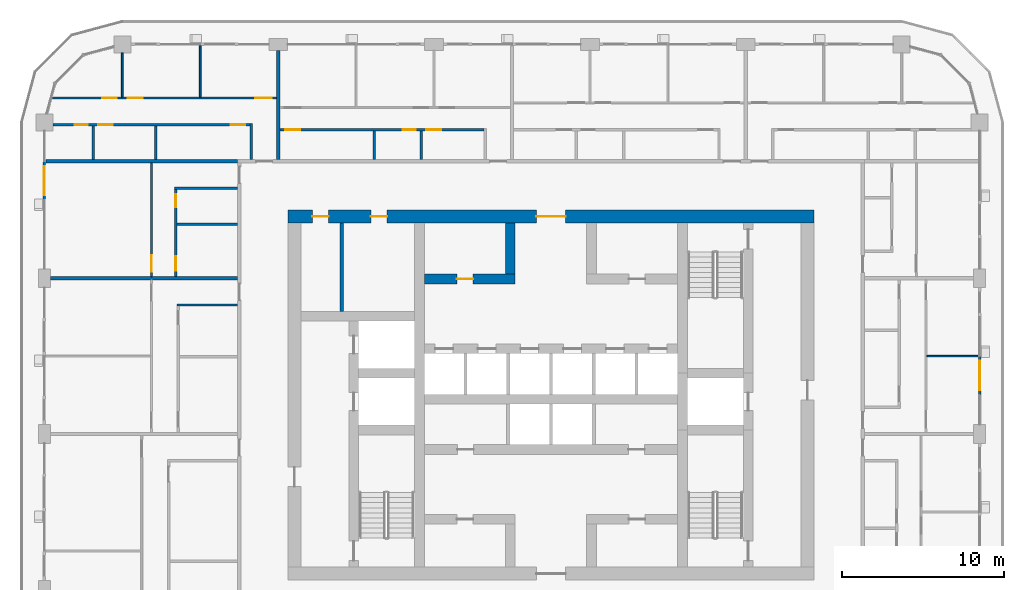
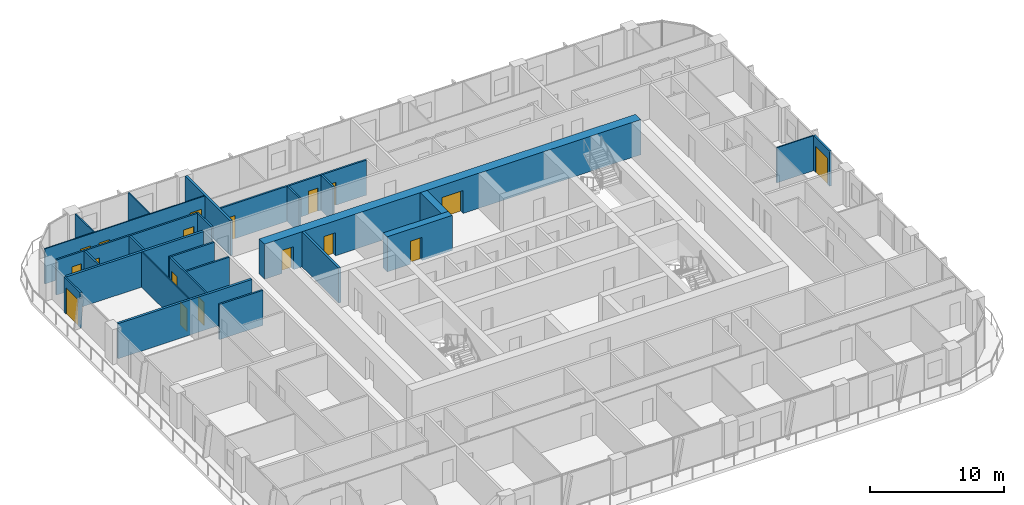
# One storey, part 13 of 22: 25 walls, 18 doors, 18 openings.
"""IFC4 building model written with IfcOpenShell, lengths in metres."""

import ifcopenshell
import ifcopenshell.guid

model = None  # the IFC model being written
_history = None  # IfcOwnerHistory: only IFC2X3 demands one
_inside = {}  # id of a spatial element -> (the spatial element, [elements in it])
_under = {}  # id of a project, library or spatial element -> (it, [spatial elements below it])
_declared = {}  # id of a project -> (the project, [libraries it declares])
_typed = {}  # id of a type object -> (the type object, [elements of that type])
_made_of = {}  # id of a material, layer set ... -> (it, [elements and type objects made of it])


def new_model(schema):
    """Start an empty IFC model of exactly this schema.

    Asked for "IFC4X3", IfcOpenShell would pick the latest addendum, in which some entities
    have other attributes; the version numbers below select the first issue.
    IFC2X3 requires an IfcOwnerHistory on every rooted entity: one is made here for all.
    """
    global model, _history
    if schema == "IFC4X3":
        model = ifcopenshell.file(schema_version=(4, 3, 0, 0))
    else:
        model = ifcopenshell.file(schema=schema)
    _inside.clear()
    _under.clear()
    _declared.clear()
    _typed.clear()
    _made_of.clear()
    _history = None
    if model.schema == "IFC2X3":
        org = make("IfcOrganization", Name="unknown")
        user = make(
            "IfcPersonAndOrganization",
            ThePerson=make("IfcPerson", FamilyName="unknown"),
            TheOrganization=org,
        )
        app = make(
            "IfcApplication",
            ApplicationDeveloper=org,
            Version="unknown",
            ApplicationFullName="unknown",
            ApplicationIdentifier="unknown",
        )
        _history = make(
            "IfcOwnerHistory",
            OwningUser=user,
            OwningApplication=app,
            ChangeAction="ADDED",
            CreationDate=0,
        )
    return model


def make(cls, **values):
    """One entity of the class cls with the attributes given. An attribute that is None is left unset."""
    return model.create_entity(
        cls, **{name: value for name, value in values.items() if value is not None}
    )


def rooted(cls, **values):
    """An entity with a GlobalId (a new one), such as an element, a storey or a relation."""
    return make(cls, GlobalId=ifcopenshell.guid.new(), OwnerHistory=_history, **values)


def si_unit(unit_type, name, prefix=None):
    """IfcSIUnit, for example si_unit("LENGTHUNIT", "METRE", prefix="MILLI")."""
    return make("IfcSIUnit", UnitType=unit_type, Prefix=prefix, Name=name)


def assignment(units):
    """IfcUnitAssignment: the units of a project."""
    return None if units is None else make("IfcUnitAssignment", Units=units)


def point(xyz):
    """IfcCartesianPoint."""
    return None if xyz is None else make("IfcCartesianPoint", Coordinates=xyz)


def direction(xyz):
    """IfcDirection."""
    return None if xyz is None else make("IfcDirection", DirectionRatios=xyz)


def frame(location, z_axis=None, x_axis=None):
    """IfcAxis2Placement3D, a coordinate frame: its origin and axes. An axis left out is left unset."""
    return make(
        "IfcAxis2Placement3D",
        Location=point(location),
        Axis=direction(z_axis),
        RefDirection=direction(x_axis),
    )


def frame_2d(location, x_axis=None):
    """IfcAxis2Placement2D, a coordinate frame in the plane: its origin and x axis."""
    return make(
        "IfcAxis2Placement2D", Location=point(location), RefDirection=direction(x_axis)
    )


def origin():
    """The frame at (0, 0, 0) with its axes left unset."""
    return frame((0.0, 0.0, 0.0))


def place(relative_to, where):
    """IfcLocalPlacement: puts the frame where relative to a parent placement (None: the world)."""
    return make(
        "IfcLocalPlacement", PlacementRelTo=relative_to, RelativePlacement=where
    )


def context(
    kind, dimensions, precision=None, world=None, true_north=None, identifier=None
):
    """IfcGeometricRepresentationContext, for example the 3D "Model" context."""
    return make(
        "IfcGeometricRepresentationContext",
        ContextIdentifier=identifier,
        ContextType=kind,
        CoordinateSpaceDimension=dimensions,
        Precision=precision,
        WorldCoordinateSystem=world,
        TrueNorth=true_north,
    )


def subcontext(parent, identifier, kind, view, scale=None):
    """IfcGeometricRepresentationSubContext, for example "Body" below "Model"."""
    return make(
        "IfcGeometricRepresentationSubContext",
        ContextIdentifier=identifier,
        ContextType=kind,
        ParentContext=parent,
        TargetScale=scale,
        TargetView=view,
    )


def project(units=None, contexts=None):
    """IfcProject with its units and contexts."""
    return rooted(
        "IfcProject",
        Name="project",
        RepresentationContexts=contexts,
        UnitsInContext=assignment(units),
    )


def spatial(cls, under=None, at=None, **own):
    """A site, building, storey or space (cls), placed at a placement, below another one or the project."""
    s = rooted(cls, ObjectPlacement=at, **own)
    if under is not None:
        _under.setdefault(under.id(), (under, []))[1].append(s)
    return s


def profile(cls, at=None, kind="AREA", **sizes):
    """A parametric profile (cls). Its sizes go by their IFC names, for example OverallWidth=200.0."""
    return make(cls, ProfileType=kind, Position=at, **sizes)


def rectangle(**sizes):
    """IfcRectangleProfileDef."""
    return profile("IfcRectangleProfileDef", **sizes)


def extrude(swept, where, along, depth):
    """IfcExtrudedAreaSolid: the profile swept, set in the frame where, extruded along a direction by depth."""
    return make(
        "IfcExtrudedAreaSolid",
        SweptArea=swept,
        Position=where,
        ExtrudedDirection=direction(along),
        Depth=depth,
    )


def shape(context_of_items, identifier, shape_type, items):
    """IfcShapeRepresentation: the items that make up one representation, for example the "Body"."""
    return make(
        "IfcShapeRepresentation",
        ContextOfItems=context_of_items,
        RepresentationIdentifier=identifier,
        RepresentationType=shape_type,
        Items=items,
    )


def material(Name=None, Category=None):
    """IfcMaterial."""
    return make("IfcMaterial", Name=Name, Category=Category)


def layer(
    of_material, thickness, ventilated=None, Name=None, Category=None, Priority=None
):
    """IfcMaterialLayer: one layer of a wall or slab, of a material (None: an air gap)."""
    return make(
        "IfcMaterialLayer",
        Material=of_material,
        LayerThickness=thickness,
        IsVentilated=ventilated,
        Name=Name,
        Category=Category,
        Priority=Priority,
    )


def layer_set(layers, Name=None):
    """IfcMaterialLayerSet."""
    return make("IfcMaterialLayerSet", MaterialLayers=layers, LayerSetName=Name)


def made_of(thing, what):
    """Note that an element or type object is made of a material, layer set ...; save() writes the relation."""
    if what is not None:
        _made_of.setdefault(what.id(), (what, []))[1].append(thing)
    return thing


def type_object(cls, material=None, **own):
    """A type object (cls), such as IfcWallType, which elements share."""
    return made_of(rooted(cls, **own), material)


def element(
    cls,
    number,
    at=None,
    inside=None,
    cuts=None,
    type_object=None,
    material=None,
    context=None,
    identifier="Body",
    shape_type=None,
    held_by="IfcProductDefinitionShape",
    body=None,
    shapes=None,
    **own,
):
    """One element of the class cls, such as IfcWall. Its Tag is "e" and its number.

    at: its placement. inside: the storey or other place that contains it. cuts: it is an
    opening in that element (IfcRelVoidsElement). A single representation is given by context,
    identifier, shape_type and body (its items); several are given by shapes. held_by: the class
    of the entity that holds the representations. save() writes the other relations.
    """
    e = rooted(cls, Tag="e%d" % number, ObjectPlacement=at, **own)
    if body is not None:
        shapes = [shape(context, identifier, shape_type, body)]
    if shapes is not None:
        e.Representation = make(held_by, Representations=shapes)
    if inside is not None:
        _inside.setdefault(inside.id(), (inside, []))[1].append(e)
    if cuts is not None:
        rooted(
            "IfcRelVoidsElement", RelatingBuildingElement=cuts, RelatedOpeningElement=e
        )
    if type_object is not None:
        _typed.setdefault(type_object.id(), (type_object, []))[1].append(e)
    return made_of(e, material)


def fill(opening, filler):
    """IfcRelFillsElement: the door or window that sits in an opening."""
    return rooted(
        "IfcRelFillsElement",
        RelatingOpeningElement=opening,
        RelatedBuildingElement=filler,
    )


def aggregate(whole, parts):
    """IfcRelAggregates: a whole, such as a stair, and the parts it consists of."""
    return rooted("IfcRelAggregates", RelatingObject=whole, RelatedObjects=parts)


def save(model, path):
    """Write the relations noted so far, then the file.

    IfcRelAggregates (storeys below a building ...), IfcRelContainedInSpatialStructure (elements
    in a storey), IfcRelDefinesByType, IfcRelAssociatesMaterial and IfcRelDeclares: one each for
    every whole, place, type object, material and project.
    """
    for whole, parts in _under.values():
        aggregate(whole, parts)
    for where, things in _inside.values():
        rooted(
            "IfcRelContainedInSpatialStructure",
            RelatedElements=things,
            RelatingStructure=where,
        )
    for kind, things in _typed.values():
        rooted("IfcRelDefinesByType", RelatedObjects=things, RelatingType=kind)
    for what, things in _made_of.values():
        rooted("IfcRelAssociatesMaterial", RelatedObjects=things, RelatingMaterial=what)
    for by, libraries in _declared.values():
        rooted("IfcRelDeclares", RelatingContext=by, RelatedDefinitions=libraries)
    model.write(path)


model = new_model("IFC4")

# Units and contexts
model_context = context("Model", 3, precision=1e-05, world=origin(), true_north=direction((0.0, 1.0)))
body_context = subcontext(model_context, "Body", "Model", "MODEL_VIEW")
ifc_project = project(units=[si_unit("LENGTHUNIT", "METRE"), si_unit("AREAUNIT", "SQUARE_METRE"), si_unit("VOLUMEUNIT", "CUBIC_METRE"), si_unit("PLANEANGLEUNIT", "RADIAN"), si_unit("MASSUNIT", "GRAM", prefix="KILO")], contexts=[model_context])

# Site, building, storey
site_placement = place(None, origin())
site = spatial("IfcSite", under=ifc_project, at=site_placement, CompositionType="ELEMENT")
building_placement = place(site_placement, origin())
building = spatial("IfcBuilding", under=site, at=building_placement, Name="Madar Terraces", CompositionType="ELEMENT")
storey_placement = place(building_placement, frame((0.0, 0.0, 152.5)))
storey = spatial("IfcBuildingStorey", under=building, at=storey_placement, Name="L39", CompositionType="ELEMENT", Elevation=152.5)

# Wall, opening, door
ifc_material_1 = material(Name="Concrete C70/85", Category="concrete")
ifc_layer_1 = layer(ifc_material_1, 0.60009765625)
ifc_layer_set_1 = layer_set([ifc_layer_1], Name="Concrete C70/85 (CIW3 RC wall 600)")
wall_type_1 = type_object("IfcWallType", Name="CIW3 RC wall 600", PredefinedType="SHEAR", material=ifc_layer_set_1)
wall_1_placement = place(storey_placement, frame((23.39990234375, 33.550048828125, 0.0), z_axis=(0.0, 0.0, 1.0), x_axis=(1.0, 0.0, 0.0)))
wall_1 = element("IfcWall", 1, at=wall_1_placement, inside=storey, type_object=wall_type_1, Name="CORE SHAFT WALL", PredefinedType="SHEAR", context=body_context, shape_type="SweptSolid", body=[
    extrude(rectangle(XDim=5.60009765625, YDim=0.60009765625, at=frame_2d((2.800048828125, 0.0))), origin(), (0.0, 0.0, 1.0), 3.199951171875),
])
opening_1_placement = place(wall_1_placement, frame((2.0, 0.0, 0.0)))
opening_1 = element("IfcOpeningElement", 2, at=opening_1_placement, cuts=wall_1, Name="Opening KD2", PredefinedType="OPENING", context=body_context, shape_type="SweptSolid", body=[
    extrude(rectangle(XDim=1.0, YDim=2.10009765625, at=frame_2d((0.5, 1.050048828125))), frame((0.0, 0.31005859375, 0.0), z_axis=(0.0, -1.0, 0.0), x_axis=(1.0, 0.0, 0.0)), (0.0, 0.0, 1.0), 0.6201171875),
])
ifc_material_2 = material(Name="Steel door leaf", Category="steel")
door_type_1 = type_object("IfcDoorType", Name="Service room door 1000 x 2100", OperationType="NOTDEFINED", PredefinedType="DOOR", material=ifc_material_2)
door_1_placement = place(opening_1_placement, frame((1.0, 0.0, 0.0), z_axis=(0.0, 0.0, 1.0), x_axis=(-1.0, 0.0, 0.0)))
door_1 = element("IfcDoor", 3, at=door_1_placement, inside=storey, type_object=door_type_1, Name="SERVICE ROOM DOOR", OperationType="SINGLE_SWING_RIGHT", OverallHeight=2.10009765625, OverallWidth=1.0, PredefinedType="DOOR", context=body_context, shape_type="SweptSolid", body=[
    extrude(rectangle(XDim=1.0, YDim=2.10009765625, at=frame_2d((0.5, 1.050048828125))), frame((0.0, 0.02490234375, 0.0), z_axis=(0.0, -1.0, 0.0), x_axis=(1.0, 0.0, 0.0)), (0.0, 0.0, 1.0), 0.050048828125),
])
fill(opening_1, door_1)

# Wall
wall_2_placement = place(storey_placement, frame((28.699951171875, 33.85009765625, 0.0), z_axis=(0.0, 0.0, 1.0), x_axis=(0.0, 1.0, 0.0)))
element("IfcWall", 4, at=wall_2_placement, inside=storey, type_object=wall_type_1, Name="CORE SHAFT WALL", PredefinedType="SHEAR", context=body_context, shape_type="SweptSolid", body=[
    extrude(rectangle(XDim=3.14990234375, YDim=0.60009765625, at=frame_2d((1.574951171875, 0.0))), origin(), (0.0, 0.0, 1.0), 3.199951171875),
])

# Wall, openings, doors
ifc_material_3 = material(Name="Concrete C70/85", Category="concrete")
ifc_layer_2 = layer(ifc_material_3, 0.800048828125)
ifc_layer_set_2 = layer_set([ifc_layer_2], Name="Concrete C70/85 (CRW3 RC wall 800)")
wall_type_2 = type_object("IfcWallType", Name="CRW3 RC wall 800", PredefinedType="SHEAR", material=ifc_layer_set_2)
wall_3_placement = place(storey_placement, frame((15.0, 37.39990234375, 0.0), z_axis=(0.0, 0.0, 1.0), x_axis=(1.0, 0.0, 0.0)))
wall_3 = element("IfcWall", 5, at=wall_3_placement, inside=storey, type_object=wall_type_2, Name="CORE OUTER WALL", PredefinedType="SHEAR", context=body_context, shape_type="SweptSolid", body=[
    extrude(rectangle(XDim=32.39990234375, YDim=0.800048828125, at=frame_2d((16.199951171875, 0.0))), origin(), (0.0, 0.0, 1.0), 3.199951171875),
])
opening_2_placement = place(wall_3_placement, frame((15.300048828125, 0.0, 0.0)))
opening_2 = element("IfcOpeningElement", 6, at=opening_2_placement, cuts=wall_3, Name="Opening KD1", PredefinedType="OPENING", context=body_context, shape_type="SweptSolid", body=[
    extrude(rectangle(XDim=1.800048828125, YDim=2.10009765625, at=frame_2d((0.89990234375, 1.050048828125))), frame((0.0, 0.409912109375, 0.0), z_axis=(0.0, -1.0, 0.0), x_axis=(1.0, 0.0, 0.0)), (0.0, 0.0, 1.0), 0.820068359375),
])
opening_3_placement = place(wall_3_placement, frame((1.510009765625, 0.0, 0.0)))
opening_3 = element("IfcOpeningElement", 7, at=opening_3_placement, cuts=wall_3, Name="Opening KD2", PredefinedType="OPENING", context=body_context, shape_type="SweptSolid", body=[
    extrude(rectangle(XDim=1.0, YDim=2.10009765625, at=frame_2d((0.5, 1.050048828125))), frame((0.0, 0.409912109375, 0.0), z_axis=(0.0, -1.0, 0.0), x_axis=(1.0, 0.0, 0.0)), (0.0, 0.0, 1.0), 0.820068359375),
])
opening_4_placement = place(wall_3_placement, frame((5.110107421875, 0.0, 0.0)))
opening_4 = element("IfcOpeningElement", 8, at=opening_4_placement, cuts=wall_3, Name="Opening KD2", PredefinedType="OPENING", context=body_context, shape_type="SweptSolid", body=[
    extrude(rectangle(XDim=1.0, YDim=2.10009765625, at=frame_2d((0.5, 1.050048828125))), frame((0.0, 0.409912109375, 0.0), z_axis=(0.0, -1.0, 0.0), x_axis=(1.0, 0.0, 0.0)), (0.0, 0.0, 1.0), 0.820068359375),
])
ifc_material_4 = material(Name="Steel door leaf", Category="steel")
door_type_2 = type_object("IfcDoorType", Name="Lobby door pair 1800 x 2100", OperationType="DOUBLE_DOOR_SINGLE_SWING", PredefinedType="DOOR", material=ifc_material_4)
door_2_placement = place(opening_2_placement, origin())
door_2 = element("IfcDoor", 9, at=door_2_placement, inside=storey, type_object=door_type_2, Name="LIFT LOBBY DOOR", OperationType="DOUBLE_DOOR_SINGLE_SWING", OverallHeight=2.10009765625, OverallWidth=1.800048828125, PredefinedType="DOOR", context=body_context, shape_type="SweptSolid", body=[
    extrude(rectangle(XDim=1.800048828125, YDim=2.10009765625, at=frame_2d((0.89990234375, 1.050048828125))), frame((0.0, 0.02490234375, 0.0), z_axis=(0.0, -1.0, 0.0), x_axis=(1.0, 0.0, 0.0)), (0.0, 0.0, 1.0), 0.050048828125),
])
fill(opening_2, door_2)
door_3_placement = place(opening_3_placement, origin())
door_3 = element("IfcDoor", 10, at=door_3_placement, inside=storey, type_object=door_type_1, Name="SERVICE ROOM DOOR", OperationType="SINGLE_SWING_RIGHT", OverallHeight=2.10009765625, OverallWidth=1.0, PredefinedType="DOOR", context=body_context, shape_type="SweptSolid", body=[
    extrude(rectangle(XDim=1.0, YDim=2.10009765625, at=frame_2d((0.5, 1.050048828125))), frame((0.0, 0.02490234375, 0.0), z_axis=(0.0, -1.0, 0.0), x_axis=(1.0, 0.0, 0.0)), (0.0, 0.0, 1.0), 0.050048828125),
])
fill(opening_3, door_3)
door_4_placement = place(opening_4_placement, origin())
door_4 = element("IfcDoor", 11, at=door_4_placement, inside=storey, type_object=door_type_1, Name="SERVICE ROOM DOOR", OperationType="SINGLE_SWING_LEFT", OverallHeight=2.10009765625, OverallWidth=1.0, PredefinedType="DOOR", context=body_context, shape_type="SweptSolid", body=[
    extrude(rectangle(XDim=1.0, YDim=2.10009765625, at=frame_2d((0.5, 1.050048828125))), frame((0.0, 0.02490234375, 0.0), z_axis=(0.0, -1.0, 0.0), x_axis=(1.0, 0.0, 0.0)), (0.0, 0.0, 1.0), 0.050048828125),
])
fill(opening_4, door_4)

# Wall
ifc_material_5 = material(Name="Masonry blockwork", Category="masonry")
ifc_layer_3 = layer(ifc_material_5, 0.199951171875)
ifc_layer_set_3 = layer_set([ifc_layer_3], Name="Core partition 200 blockwork")
wall_type_3 = type_object("IfcWallType", Name="Core partition 200 blockwork", PredefinedType="PARTITIONING", material=ifc_layer_set_3)
wall_4_placement = place(storey_placement, frame((18.320068359375, 31.550048828125, 0.0), z_axis=(0.0, 0.0, 1.0), x_axis=(0.0, 1.0, 0.0)))
element("IfcWall", 12, at=wall_4_placement, inside=storey, type_object=wall_type_3, Name="SERVICE ROOM PARTITION", PredefinedType="PARTITIONING", context=body_context, shape_type="SweptSolid", body=[
    extrude(rectangle(XDim=5.449951171875, YDim=0.199951171875, at=frame_2d((2.72509765625, 0.0))), origin(), (0.0, 0.0, 1.0), 3.199951171875),
])

# Wall, opening, door
ifc_material_6 = material(Name="Aluminium composite panel, black, over insulated backing", Category="aluminium")
ifc_layer_4 = layer(ifc_material_6, 0.14990234375)
ifc_layer_set_4 = layer_set([ifc_layer_4], Name="Facade bay panel 150")
wall_type_4 = type_object("IfcWallType", Name="Facade bay panel 150", PredefinedType="SOLIDWALL", material=ifc_layer_set_4)
wall_5_placement = place(storey_placement, frame((57.60009765625, 26.39990234375, 0.0), z_axis=(0.0, 0.0, 1.0), x_axis=(0.0, 1.0, 0.0)))
wall_5 = element("IfcWall", 13, at=wall_5_placement, inside=storey, type_object=wall_type_4, Name="Facade bay panel", PredefinedType="SOLIDWALL", context=body_context, shape_type="SweptSolid", body=[
    extrude(rectangle(XDim=2.400146484375, YDim=0.14990234375, at=frame_2d((1.2001953125, 0.0))), origin(), (0.0, 0.0, 1.0), 3.199951171875),
])
opening_5_placement = place(wall_5_placement, frame((0.300048828125, 0.0, 0.0)))
opening_5 = element("IfcOpeningElement", 14, at=opening_5_placement, cuts=wall_5, Name="Opening ED1", PredefinedType="OPENING", context=body_context, shape_type="SweptSolid", body=[
    extrude(rectangle(XDim=1.800048828125, YDim=2.39990234375, at=frame_2d((0.89990234375, 1.199951171875))), frame((0.0, 0.0849609375, 0.0), z_axis=(0.0, -1.0, 0.0), x_axis=(1.0, 0.0, 0.0)), (0.0, 0.0, 1.0), 0.169921875),
])
ifc_material_7 = material(Name="Glass, clear, with black aluminium frame", Category="aluminium")
door_type_3 = type_object("IfcDoorType", Name="Balcony and terrace sliding door 1800 x 2400", OperationType="SLIDING_TO_LEFT", PredefinedType="DOOR", material=ifc_material_7)
door_5_placement = place(opening_5_placement, origin())
door_5 = element("IfcDoor", 15, at=door_5_placement, inside=storey, type_object=door_type_3, Name="Balcony door", OperationType="SLIDING_TO_RIGHT", OverallHeight=2.39990234375, OverallWidth=1.800048828125, PredefinedType="DOOR", context=body_context, shape_type="SweptSolid", body=[
    extrude(rectangle(XDim=1.800048828125, YDim=2.39990234375, at=frame_2d((0.89990234375, 1.199951171875))), frame((0.0, 0.02490234375, 0.0), z_axis=(0.0, -1.0, 0.0), x_axis=(1.0, 0.0, 0.0)), (0.0, 0.0, 1.0), 0.050048828125),
])
fill(opening_5, door_5)

wall_6_placement = place(storey_placement, frame((0.0, 40.800048828125, 0.0), z_axis=(0.0, 0.0, 1.0), x_axis=(0.0, -1.0, 0.0)))
wall_6 = element("IfcWall", 16, at=wall_6_placement, inside=storey, type_object=wall_type_4, Name="Facade bay panel", PredefinedType="SOLIDWALL", context=body_context, shape_type="SweptSolid", body=[
    extrude(rectangle(XDim=2.400146484375, YDim=0.14990234375, at=frame_2d((1.2001953125, 0.0))), origin(), (0.0, 0.0, 1.0), 3.199951171875),
])
opening_6_placement = place(wall_6_placement, frame((0.300048828125, 0.0, 0.0)))
opening_6 = element("IfcOpeningElement", 17, at=opening_6_placement, cuts=wall_6, Name="Opening ED1", PredefinedType="OPENING", context=body_context, shape_type="SweptSolid", body=[
    extrude(rectangle(XDim=1.800048828125, YDim=2.39990234375, at=frame_2d((0.89990234375, 1.199951171875))), frame((0.0, 0.0849609375, 0.0), z_axis=(0.0, -1.0, 0.0), x_axis=(1.0, 0.0, 0.0)), (0.0, 0.0, 1.0), 0.169921875),
])
door_6_placement = place(opening_6_placement, origin())
door_6 = element("IfcDoor", 18, at=door_6_placement, inside=storey, type_object=door_type_3, Name="Balcony door", OperationType="SLIDING_TO_LEFT", OverallHeight=2.39990234375, OverallWidth=1.800048828125, PredefinedType="DOOR", context=body_context, shape_type="SweptSolid", body=[
    extrude(rectangle(XDim=1.800048828125, YDim=2.39990234375, at=frame_2d((0.89990234375, 1.199951171875))), frame((0.0, 0.02490234375, 0.0), z_axis=(0.0, -1.0, 0.0), x_axis=(1.0, 0.0, 0.0)), (0.0, 0.0, 1.0), 0.050048828125),
])
fill(opening_6, door_6)

# Walls
ifc_material_8 = material(Name="Gypsum board on steel studs", Category="steel")
ifc_layer_5 = layer(ifc_material_8, 0.10009765625)
ifc_layer_set_5 = layer_set([ifc_layer_5], Name="Flat partition 100")
wall_type_5 = type_object("IfcWallType", Name="Flat partition 100", PredefinedType="PARTITIONING", material=ifc_layer_set_5)
for number, where, z_axis, x_axis, name in (
    (19, (54.35009765625, 28.800048828125, 0.0), (0.0, 0.0, 1.0), (1.0, 0.0, 0.0), "Flat partition 100"),
    (20, (9.60009765625, 44.75, 0.0), (0.0, 0.0, 1.0), (0.0, 1.0, 0.0), "Flat partition 100"),
):
    element("IfcWall", number, at=place(storey_placement, frame(where, z_axis=z_axis, x_axis=x_axis)), inside=storey, type_object=wall_type_5, Name=name, PredefinedType="PARTITIONING", context=body_context, shape_type="SweptSolid", body=[
        extrude(rectangle(XDim=3.14990234375, YDim=0.10009765625, at=frame_2d((1.574951171875, 0.0))), origin(), (0.0, 0.0, 1.0), 3.199951171875),
    ])
wall_7_placement = place(storey_placement, frame((4.800048828125, 44.75, 0.0), z_axis=(0.0, 0.0, 1.0), x_axis=(0.0, 1.0, 0.0)))
element("IfcWall", 21, at=wall_7_placement, inside=storey, type_object=wall_type_5, Name="Flat partition 100", PredefinedType="PARTITIONING", context=body_context, shape_type="SweptSolid", body=[
    extrude(rectangle(XDim=2.72509765625, YDim=0.10009765625, at=frame_2d((1.362548828125, 0.0))), origin(), (0.0, 0.0, 1.0), 3.199951171875),
])

# Wall, openings, doors
wall_8_placement = place(storey_placement, frame((0.501953125, 44.699951171875, 0.0), z_axis=(0.0, 0.0, 1.0), x_axis=(1.0, 0.0, 0.0)))
wall_8 = element("IfcWall", 22, at=wall_8_placement, inside=storey, type_object=wall_type_5, Name="Flat partition 100", PredefinedType="PARTITIONING", context=body_context, shape_type="SweptSolid", body=[
    extrude(rectangle(XDim=13.798095703125, YDim=0.10009765625, at=frame_2d((6.89892578125, 0.0))), origin(), (0.0, 0.0, 1.0), 3.199951171875),
])
opening_7_placement = place(wall_8_placement, frame((12.498046875, 0.0, 0.0)))
opening_7 = element("IfcOpeningElement", 23, at=opening_7_placement, cuts=wall_8, Name="Opening D3", PredefinedType="OPENING", context=body_context, shape_type="SweptSolid", body=[
    extrude(rectangle(XDim=1.0, YDim=2.10009765625, at=frame_2d((0.5, 1.050048828125))), frame((0.0, 0.06005859375, 0.0), z_axis=(0.0, -1.0, 0.0), x_axis=(1.0, 0.0, 0.0)), (0.0, 0.0, 1.0), 0.1201171875),
])
opening_8_placement = place(wall_8_placement, frame((4.648193359375, 0.0, 0.0)))
opening_8 = element("IfcOpeningElement", 24, at=opening_8_placement, cuts=wall_8, Name="Opening D2", PredefinedType="OPENING", context=body_context, shape_type="SweptSolid", body=[
    extrude(rectangle(XDim=0.89990234375, YDim=2.10009765625, at=frame_2d((0.449951171875, 1.050048828125))), frame((0.0, 0.06005859375, 0.0), z_axis=(0.0, -1.0, 0.0), x_axis=(1.0, 0.0, 0.0)), (0.0, 0.0, 1.0), 0.1201171875),
])
opening_9_placement = place(wall_8_placement, frame((3.048095703125, 0.0, 0.0)))
opening_9 = element("IfcOpeningElement", 25, at=opening_9_placement, cuts=wall_8, Name="Opening D2", PredefinedType="OPENING", context=body_context, shape_type="SweptSolid", body=[
    extrude(rectangle(XDim=0.89990234375, YDim=2.10009765625, at=frame_2d((0.449951171875, 1.050048828125))), frame((0.0, 0.06005859375, 0.0), z_axis=(0.0, -1.0, 0.0), x_axis=(1.0, 0.0, 0.0)), (0.0, 0.0, 1.0), 0.1201171875),
])
ifc_material_9 = material(Name="Timber door leaf", Category="wood")
door_type_4 = type_object("IfcDoorType", Name="Flat living room door 1000", OperationType="NOTDEFINED", PredefinedType="DOOR", material=ifc_material_9)
door_7_placement = place(opening_7_placement, origin())
door_7 = element("IfcDoor", 26, at=door_7_placement, inside=storey, type_object=door_type_4, Name="Flat living room door 1000", OperationType="SINGLE_SWING_RIGHT", OverallHeight=2.10009765625, OverallWidth=1.0, PredefinedType="DOOR", context=body_context, shape_type="SweptSolid", body=[
    extrude(rectangle(XDim=1.0, YDim=2.10009765625, at=frame_2d((0.5, 1.050048828125))), frame((0.0, 0.02490234375, 0.0), z_axis=(0.0, -1.0, 0.0), x_axis=(1.0, 0.0, 0.0)), (0.0, 0.0, 1.0), 0.050048828125),
])
fill(opening_7, door_7)
ifc_material_10 = material(Name="Timber door leaf", Category="wood")
door_type_5 = type_object("IfcDoorType", Name="Flat room door 900", OperationType="NOTDEFINED", PredefinedType="DOOR", material=ifc_material_10)
door_8_placement = place(opening_8_placement, origin())
door_8 = element("IfcDoor", 27, at=door_8_placement, inside=storey, type_object=door_type_5, Name="Flat room door 900", OperationType="SINGLE_SWING_LEFT", OverallHeight=2.10009765625, OverallWidth=0.89990234375, PredefinedType="DOOR", context=body_context, shape_type="SweptSolid", body=[
    extrude(rectangle(XDim=0.89990234375, YDim=2.10009765625, at=frame_2d((0.449951171875, 1.050048828125))), frame((0.0, 0.02490234375, 0.0), z_axis=(0.0, -1.0, 0.0), x_axis=(1.0, 0.0, 0.0)), (0.0, 0.0, 1.0), 0.050048828125),
])
fill(opening_8, door_8)
door_9_placement = place(opening_9_placement, origin())
door_9 = element("IfcDoor", 28, at=door_9_placement, inside=storey, type_object=door_type_5, Name="Flat room door 900", OperationType="SINGLE_SWING_RIGHT", OverallHeight=2.10009765625, OverallWidth=0.89990234375, PredefinedType="DOOR", context=body_context, shape_type="SweptSolid", body=[
    extrude(rectangle(XDim=0.89990234375, YDim=2.10009765625, at=frame_2d((0.449951171875, 1.050048828125))), frame((0.0, 0.02490234375, 0.0), z_axis=(0.0, -1.0, 0.0), x_axis=(1.0, 0.0, 0.0)), (0.0, 0.0, 1.0), 0.050048828125),
])
fill(opening_9, door_9)

# Wall, opening, door
wall_9_placement = place(storey_placement, frame((6.60009765625, 33.699951171875, 0.0), z_axis=(0.0, 0.0, 1.0), x_axis=(0.0, 1.0, 0.0)))
wall_9 = element("IfcWall", 29, at=wall_9_placement, inside=storey, type_object=wall_type_5, Name="Flat partition 100", PredefinedType="PARTITIONING", context=body_context, shape_type="SweptSolid", body=[
    extrude(rectangle(XDim=7.0, YDim=0.10009765625, at=frame_2d((3.5, 0.0))), origin(), (0.0, 0.0, 1.0), 3.199951171875),
])
opening_10_placement = place(wall_9_placement, frame((0.300048828125, 0.0, 0.0)))
opening_10 = element("IfcOpeningElement", 30, at=opening_10_placement, cuts=wall_9, Name="Opening D3", PredefinedType="OPENING", context=body_context, shape_type="SweptSolid", body=[
    extrude(rectangle(XDim=1.0, YDim=2.10009765625, at=frame_2d((0.5, 1.050048828125))), frame((0.0, 0.06005859375, 0.0), z_axis=(0.0, -1.0, 0.0), x_axis=(1.0, 0.0, 0.0)), (0.0, 0.0, 1.0), 0.1201171875),
])
door_10_placement = place(opening_10_placement, origin())
door_10 = element("IfcDoor", 31, at=door_10_placement, inside=storey, type_object=door_type_4, Name="Flat living room door 1000", OperationType="SINGLE_SWING_LEFT", OverallHeight=2.10009765625, OverallWidth=1.0, PredefinedType="DOOR", context=body_context, shape_type="SweptSolid", body=[
    extrude(rectangle(XDim=1.0, YDim=2.10009765625, at=frame_2d((0.5, 1.050048828125))), frame((0.0, 0.02490234375, 0.0), z_axis=(0.0, -1.0, 0.0), x_axis=(1.0, 0.0, 0.0)), (0.0, 0.0, 1.0), 0.050048828125),
])
fill(opening_10, door_10)

# Walls
ifc_material_11 = material(Name="Lightweight blockwork", Category="masonry")
ifc_layer_6 = layer(ifc_material_11, 0.199951171875)
ifc_layer_set_6 = layer_set([ifc_layer_6], Name="Flat party and entrance wall 200")
wall_type_6 = type_object("IfcWallType", Name="Flat party and entrance wall 200", PredefinedType="PARTITIONING", material=ifc_layer_set_6)
wall_10_placement = place(storey_placement, frame((14.39990234375, 47.625, 0.0), z_axis=(0.0, 0.0, 1.0), x_axis=(0.0, -1.0, 0.0)))
element("IfcWall", 32, at=wall_10_placement, inside=storey, type_object=wall_type_6, Name="Flat party and entrance wall 200", PredefinedType="PARTITIONING", context=body_context, shape_type="SweptSolid", body=[
    extrude(rectangle(XDim=6.72509765625, YDim=0.199951171875, at=frame_2d((3.362548828125, 0.0))), origin(), (0.0, 0.0, 1.0), 3.199951171875),
])
wall_11_placement = place(storey_placement, frame((0.10009765625, 40.800048828125, 0.0), z_axis=(0.0, 0.0, 1.0), x_axis=(1.0, 0.0, 0.0)))
element("IfcWall", 33, at=wall_11_placement, inside=storey, type_object=wall_type_6, Name="Flat party and entrance wall 200", PredefinedType="PARTITIONING", context=body_context, shape_type="SweptSolid", body=[
    extrude(rectangle(XDim=11.7998046875, YDim=0.199951171875, at=frame_2d((5.89990234375, 0.0))), origin(), (0.0, 0.0, 1.0), 3.199951171875),
])
wall_12_placement = place(storey_placement, frame((0.375, 33.60009765625, 0.0), z_axis=(0.0, 0.0, 1.0), x_axis=(1.0, 0.0, 0.0)))
element("IfcWall", 34, at=wall_12_placement, inside=storey, type_object=wall_type_6, Name="Flat party and entrance wall 200", PredefinedType="PARTITIONING", context=body_context, shape_type="SweptSolid", body=[
    extrude(rectangle(XDim=11.52490234375, YDim=0.199951171875, at=frame_2d((5.762451171875, 0.0))), origin(), (0.0, 0.0, 1.0), 3.199951171875),
])
ifc_material_12 = material(Name="Lightweight blockwork", Category="masonry")
ifc_layer_7 = layer(ifc_material_12, 0.14990234375)
ifc_layer_set_7 = layer_set([ifc_layer_7], Name="Flat wet-room partition 150")
wall_type_7 = type_object("IfcWallType", Name="Flat wet-room partition 150", PredefinedType="PARTITIONING", material=ifc_layer_set_7)
for number, where, z_axis, x_axis, name in (
    (35, (23.205810546875, 40.89990234375, 0.0), (0.0, 0.0, 1.0), (0.0, 1.0, 0.0), "Flat wet-room partition 150"),
    (36, (20.303955078125, 40.89990234375, 0.0), (0.0, 0.0, 1.0), (0.0, 1.0, 0.0), "Flat wet-room partition 150"),
):
    element("IfcWall", number, at=place(storey_placement, frame(where, z_axis=z_axis, x_axis=x_axis)), inside=storey, type_object=wall_type_7, Name=name, PredefinedType="PARTITIONING", context=body_context, shape_type="SweptSolid", body=[
        extrude(rectangle(XDim=1.775146484375, YDim=0.14990234375, at=frame_2d((0.8876953125, 0.0))), origin(), (0.0, 0.0, 1.0), 3.199951171875),
    ])

# Wall, openings, doors
wall_13_placement = place(storey_placement, frame((27.074951171875, 42.75, 0.0), z_axis=(0.0, 0.0, 1.0), x_axis=(-1.0, 0.0, 0.0)))
wall_13 = element("IfcWall", 37, at=wall_13_placement, inside=storey, type_object=wall_type_7, Name="Flat wet-room partition 150", PredefinedType="PARTITIONING", context=body_context, shape_type="SweptSolid", body=[
    extrude(rectangle(XDim=12.574951171875, YDim=0.14990234375, at=frame_2d((6.28759765625, 0.0))), origin(), (0.0, 0.0, 1.0), 3.199951171875),
])
opening_11_placement = place(wall_13_placement, frame((2.644287109375, 0.0, 0.0)))
opening_11 = element("IfcOpeningElement", 38, at=opening_11_placement, cuts=wall_13, Name="Opening D5", PredefinedType="OPENING", context=body_context, shape_type="SweptSolid", body=[
    extrude(rectangle(XDim=0.89990234375, YDim=2.10009765625, at=frame_2d((0.449951171875, 1.050048828125))), frame((0.0, 0.0849609375, 0.0), z_axis=(0.0, -1.0, 0.0), x_axis=(1.0, 0.0, 0.0)), (0.0, 0.0, 1.0), 0.169921875),
])
opening_12_placement = place(wall_13_placement, frame((4.194091796875, 0.0, 0.0)))
opening_12 = element("IfcOpeningElement", 39, at=opening_12_placement, cuts=wall_13, Name="Opening D4", PredefinedType="OPENING", context=body_context, shape_type="SweptSolid", body=[
    extrude(rectangle(XDim=0.800048828125, YDim=2.10009765625, at=frame_2d((0.39990234375, 1.050048828125))), frame((0.0, 0.0849609375, 0.0), z_axis=(0.0, -1.0, 0.0), x_axis=(1.0, 0.0, 0.0)), (0.0, 0.0, 1.0), 0.169921875),
])
opening_13_placement = place(wall_13_placement, frame((11.324951171875, 0.0, 0.0)))
opening_13 = element("IfcOpeningElement", 40, at=opening_13_placement, cuts=wall_13, Name="Opening D2", PredefinedType="OPENING", context=body_context, shape_type="SweptSolid", body=[
    extrude(rectangle(XDim=0.89990234375, YDim=2.10009765625, at=frame_2d((0.449951171875, 1.050048828125))), frame((0.0, 0.0849609375, 0.0), z_axis=(0.0, -1.0, 0.0), x_axis=(1.0, 0.0, 0.0)), (0.0, 0.0, 1.0), 0.169921875),
])
ifc_material_13 = material(Name="Timber door leaf", Category="wood")
door_type_6 = type_object("IfcDoorType", Name="Flat accessible bathroom door 900", OperationType="NOTDEFINED", PredefinedType="DOOR", material=ifc_material_13)
door_11_placement = place(opening_11_placement, origin())
door_11 = element("IfcDoor", 41, at=door_11_placement, inside=storey, type_object=door_type_6, Name="Flat accessible bathroom door 900", OperationType="SINGLE_SWING_RIGHT", OverallHeight=2.10009765625, OverallWidth=0.89990234375, PredefinedType="DOOR", context=body_context, shape_type="SweptSolid", body=[
    extrude(rectangle(XDim=0.89990234375, YDim=2.10009765625, at=frame_2d((0.449951171875, 1.050048828125))), frame((0.0, 0.02490234375, 0.0), z_axis=(0.0, -1.0, 0.0), x_axis=(1.0, 0.0, 0.0)), (0.0, 0.0, 1.0), 0.050048828125),
])
fill(opening_11, door_11)
ifc_material_14 = material(Name="Timber door leaf", Category="wood")
door_type_7 = type_object("IfcDoorType", Name="Flat bathroom door 800", OperationType="NOTDEFINED", PredefinedType="DOOR", material=ifc_material_14)
door_12_placement = place(opening_12_placement, origin())
door_12 = element("IfcDoor", 42, at=door_12_placement, inside=storey, type_object=door_type_7, Name="Flat bathroom door 800", OperationType="SINGLE_SWING_LEFT", OverallHeight=2.10009765625, OverallWidth=0.800048828125, PredefinedType="DOOR", context=body_context, shape_type="SweptSolid", body=[
    extrude(rectangle(XDim=0.800048828125, YDim=2.10009765625, at=frame_2d((0.39990234375, 1.050048828125))), frame((0.0, 0.02490234375, 0.0), z_axis=(0.0, -1.0, 0.0), x_axis=(1.0, 0.0, 0.0)), (0.0, 0.0, 1.0), 0.050048828125),
])
fill(opening_12, door_12)
door_13_placement = place(opening_13_placement, origin())
door_13 = element("IfcDoor", 43, at=door_13_placement, inside=storey, type_object=door_type_5, Name="Flat room door 900", OperationType="SINGLE_SWING_RIGHT", OverallHeight=2.10009765625, OverallWidth=0.89990234375, PredefinedType="DOOR", context=body_context, shape_type="SweptSolid", body=[
    extrude(rectangle(XDim=0.89990234375, YDim=2.10009765625, at=frame_2d((0.449951171875, 1.050048828125))), frame((0.0, 0.02490234375, 0.0), z_axis=(0.0, -1.0, 0.0), x_axis=(1.0, 0.0, 0.0)), (0.0, 0.0, 1.0), 0.050048828125),
])
fill(opening_13, door_13)

# Walls
for number, where, z_axis, x_axis, name in (
    (44, (6.87109375, 40.89990234375, 0.0), (0.0, 0.0, 1.0), (0.0, 1.0, 0.0), "Flat wet-room partition 150"),
    (45, (3.001953125, 40.89990234375, 0.0), (0.0, 0.0, 1.0), (0.0, 1.0, 0.0), "Flat wet-room partition 150"),
):
    element("IfcWall", number, at=place(storey_placement, frame(where, z_axis=z_axis, x_axis=x_axis)), inside=storey, type_object=wall_type_7, Name=name, PredefinedType="PARTITIONING", context=body_context, shape_type="SweptSolid", body=[
        extrude(rectangle(XDim=2.0751953125, YDim=0.14990234375, at=frame_2d((1.03759765625, 0.0))), origin(), (0.0, 0.0, 1.0), 3.199951171875),
    ])
wall_14_placement = place(storey_placement, frame((12.75, 40.89990234375, 0.0), z_axis=(0.0, 0.0, 1.0), x_axis=(0.0, 1.0, 0.0)))
element("IfcWall", 46, at=wall_14_placement, inside=storey, type_object=wall_type_7, Name="Flat wet-room partition 150", PredefinedType="PARTITIONING", context=body_context, shape_type="SweptSolid", body=[
    extrude(rectangle(XDim=2.22509765625, YDim=0.14990234375, at=frame_2d((1.112548828125, 0.0))), origin(), (0.0, 0.0, 1.0), 3.199951171875),
])

# Wall, openings, doors
wall_15_placement = place(storey_placement, frame((12.675048828125, 43.050048828125, 0.0), z_axis=(0.0, 0.0, 1.0), x_axis=(-1.0, 0.0, 0.0)))
wall_15 = element("IfcWall", 47, at=wall_15_placement, inside=storey, type_object=wall_type_7, Name="Flat wet-room partition 150", PredefinedType="PARTITIONING", context=body_context, shape_type="SweptSolid", body=[
    extrude(rectangle(XDim=12.150146484375, YDim=0.14990234375, at=frame_2d((6.0751953125, 0.0))), origin(), (0.0, 0.0, 1.0), 3.199951171875),
])
opening_14_placement = place(wall_15_placement, frame((0.300048828125, 0.0, 0.0)))
opening_14 = element("IfcOpeningElement", 48, at=opening_14_placement, cuts=wall_15, Name="Opening D2", PredefinedType="OPENING", context=body_context, shape_type="SweptSolid", body=[
    extrude(rectangle(XDim=0.89990234375, YDim=2.10009765625, at=frame_2d((0.449951171875, 1.050048828125))), frame((0.0, 0.0849609375, 0.0), z_axis=(0.0, -1.0, 0.0), x_axis=(1.0, 0.0, 0.0)), (0.0, 0.0, 1.0), 0.169921875),
])
opening_15_placement = place(wall_15_placement, frame((8.447998046875, 0.0, 0.0)))
opening_15 = element("IfcOpeningElement", 49, at=opening_15_placement, cuts=wall_15, Name="Opening D5", PredefinedType="OPENING", context=body_context, shape_type="SweptSolid", body=[
    extrude(rectangle(XDim=0.89990234375, YDim=2.10009765625, at=frame_2d((0.449951171875, 1.050048828125))), frame((0.0, 0.0849609375, 0.0), z_axis=(0.0, -1.0, 0.0), x_axis=(1.0, 0.0, 0.0)), (0.0, 0.0, 1.0), 0.169921875),
])
opening_16_placement = place(wall_15_placement, frame((9.998046875, 0.0, 0.0)))
opening_16 = element("IfcOpeningElement", 50, at=opening_16_placement, cuts=wall_15, Name="Opening D4", PredefinedType="OPENING", context=body_context, shape_type="SweptSolid", body=[
    extrude(rectangle(XDim=0.800048828125, YDim=2.10009765625, at=frame_2d((0.39990234375, 1.050048828125))), frame((0.0, 0.0849609375, 0.0), z_axis=(0.0, -1.0, 0.0), x_axis=(1.0, 0.0, 0.0)), (0.0, 0.0, 1.0), 0.169921875),
])
door_14_placement = place(opening_15_placement, origin())
door_14 = element("IfcDoor", 51, at=door_14_placement, inside=storey, type_object=door_type_6, Name="Flat accessible bathroom door 900", OperationType="SINGLE_SWING_RIGHT", OverallHeight=2.10009765625, OverallWidth=0.89990234375, PredefinedType="DOOR", context=body_context, shape_type="SweptSolid", body=[
    extrude(rectangle(XDim=0.89990234375, YDim=2.10009765625, at=frame_2d((0.449951171875, 1.050048828125))), frame((0.0, 0.02490234375, 0.0), z_axis=(0.0, -1.0, 0.0), x_axis=(1.0, 0.0, 0.0)), (0.0, 0.0, 1.0), 0.050048828125),
])
fill(opening_15, door_14)
door_15_placement = place(opening_16_placement, origin())
door_15 = element("IfcDoor", 52, at=door_15_placement, inside=storey, type_object=door_type_7, Name="Flat bathroom door 800", OperationType="SINGLE_SWING_LEFT", OverallHeight=2.10009765625, OverallWidth=0.800048828125, PredefinedType="DOOR", context=body_context, shape_type="SweptSolid", body=[
    extrude(rectangle(XDim=0.800048828125, YDim=2.10009765625, at=frame_2d((0.39990234375, 1.050048828125))), frame((0.0, 0.02490234375, 0.0), z_axis=(0.0, -1.0, 0.0), x_axis=(1.0, 0.0, 0.0)), (0.0, 0.0, 1.0), 0.050048828125),
])
fill(opening_16, door_15)
door_16_placement = place(opening_14_placement, origin())
door_16 = element("IfcDoor", 53, at=door_16_placement, inside=storey, type_object=door_type_5, Name="Flat room door 900", OperationType="SINGLE_SWING_LEFT", OverallHeight=2.10009765625, OverallWidth=0.89990234375, PredefinedType="DOOR", context=body_context, shape_type="SweptSolid", body=[
    extrude(rectangle(XDim=0.89990234375, YDim=2.10009765625, at=frame_2d((0.449951171875, 1.050048828125))), frame((0.0, 0.02490234375, 0.0), z_axis=(0.0, -1.0, 0.0), x_axis=(1.0, 0.0, 0.0)), (0.0, 0.0, 1.0), 0.050048828125),
])
fill(opening_14, door_16)

# Walls
wall_16_placement = place(storey_placement, frame((11.89990234375, 36.925048828125, 0.0), z_axis=(0.0, 0.0, 1.0), x_axis=(-1.0, 0.0, 0.0)))
element("IfcWall", 54, at=wall_16_placement, inside=storey, type_object=wall_type_7, Name="Flat wet-room partition 150", PredefinedType="PARTITIONING", context=body_context, shape_type="SweptSolid", body=[
    extrude(rectangle(XDim=3.724853515625, YDim=0.14990234375, at=frame_2d((1.8623046875, 0.0))), origin(), (0.0, 0.0, 1.0), 3.199951171875),
])
wall_17_placement = place(storey_placement, frame((11.89990234375, 39.14990234375, 0.0), z_axis=(0.0, 0.0, 1.0), x_axis=(-1.0, 0.0, 0.0)))
element("IfcWall", 55, at=wall_17_placement, inside=storey, type_object=wall_type_7, Name="Flat wet-room partition 150", PredefinedType="PARTITIONING", context=body_context, shape_type="SweptSolid", body=[
    extrude(rectangle(XDim=3.875, YDim=0.14990234375, at=frame_2d((1.9375, 0.0))), origin(), (0.0, 0.0, 1.0), 3.199951171875),
])

# Wall, openings, doors
wall_18_placement = place(storey_placement, frame((8.10009765625, 39.074951171875, 0.0), z_axis=(0.0, 0.0, 1.0), x_axis=(0.0, -1.0, 0.0)))
wall_18 = element("IfcWall", 56, at=wall_18_placement, inside=storey, type_object=wall_type_7, Name="Flat wet-room partition 150", PredefinedType="PARTITIONING", context=body_context, shape_type="SweptSolid", body=[
    extrude(rectangle(XDim=5.375, YDim=0.14990234375, at=frame_2d((2.6875, 0.0))), origin(), (0.0, 0.0, 1.0), 3.199951171875),
])
opening_17_placement = place(wall_18_placement, frame((0.300048828125, 0.0, 0.0)))
opening_17 = element("IfcOpeningElement", 57, at=opening_17_placement, cuts=wall_18, Name="Opening D4", PredefinedType="OPENING", context=body_context, shape_type="SweptSolid", body=[
    extrude(rectangle(XDim=0.800048828125, YDim=2.10009765625, at=frame_2d((0.39990234375, 1.050048828125))), frame((0.0, 0.0849609375, 0.0), z_axis=(0.0, -1.0, 0.0), x_axis=(1.0, 0.0, 0.0)), (0.0, 0.0, 1.0), 0.169921875),
])
opening_18_placement = place(wall_18_placement, frame((4.125, 0.0, 0.0)))
opening_18 = element("IfcOpeningElement", 58, at=opening_18_placement, cuts=wall_18, Name="Opening D2", PredefinedType="OPENING", context=body_context, shape_type="SweptSolid", body=[
    extrude(rectangle(XDim=0.89990234375, YDim=2.10009765625, at=frame_2d((0.449951171875, 1.050048828125))), frame((0.0, 0.0849609375, 0.0), z_axis=(0.0, -1.0, 0.0), x_axis=(1.0, 0.0, 0.0)), (0.0, 0.0, 1.0), 0.169921875),
])
door_17_placement = place(opening_17_placement, origin())
door_17 = element("IfcDoor", 59, at=door_17_placement, inside=storey, type_object=door_type_7, Name="Flat bathroom door 800", OperationType="SINGLE_SWING_LEFT", OverallHeight=2.10009765625, OverallWidth=0.800048828125, PredefinedType="DOOR", context=body_context, shape_type="SweptSolid", body=[
    extrude(rectangle(XDim=0.800048828125, YDim=2.10009765625, at=frame_2d((0.39990234375, 1.050048828125))), frame((0.0, 0.02490234375, 0.0), z_axis=(0.0, -1.0, 0.0), x_axis=(1.0, 0.0, 0.0)), (0.0, 0.0, 1.0), 0.050048828125),
])
fill(opening_17, door_17)
door_18_placement = place(opening_18_placement, origin())
door_18 = element("IfcDoor", 60, at=door_18_placement, inside=storey, type_object=door_type_5, Name="Flat room door 900", OperationType="SINGLE_SWING_RIGHT", OverallHeight=2.10009765625, OverallWidth=0.89990234375, PredefinedType="DOOR", context=body_context, shape_type="SweptSolid", body=[
    extrude(rectangle(XDim=0.89990234375, YDim=2.10009765625, at=frame_2d((0.449951171875, 1.050048828125))), frame((0.0, 0.02490234375, 0.0), z_axis=(0.0, -1.0, 0.0), x_axis=(1.0, 0.0, 0.0)), (0.0, 0.0, 1.0), 0.050048828125),
])
fill(opening_18, door_18)

# Wall
wall_19_placement = place(storey_placement, frame((11.89990234375, 31.949951171875, 0.0), z_axis=(0.0, 0.0, 1.0), x_axis=(-1.0, 0.0, 0.0)))
element("IfcWall", 61, at=wall_19_placement, inside=storey, type_object=wall_type_7, Name="Flat wet-room partition 150", PredefinedType="PARTITIONING", context=body_context, shape_type="SweptSolid", body=[
    extrude(rectangle(XDim=3.724853515625, YDim=0.14990234375, at=frame_2d((1.8623046875, 0.0))), origin(), (0.0, 0.0, 1.0), 3.199951171875),
])

save(model, "model.ifc")
